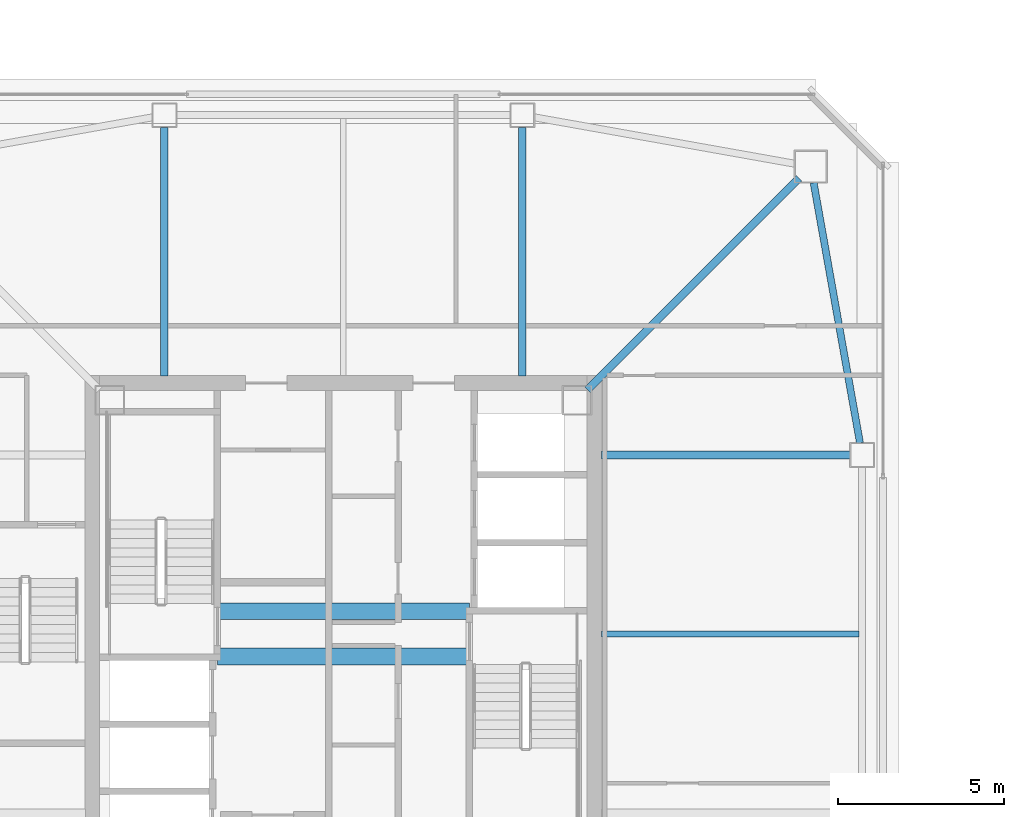
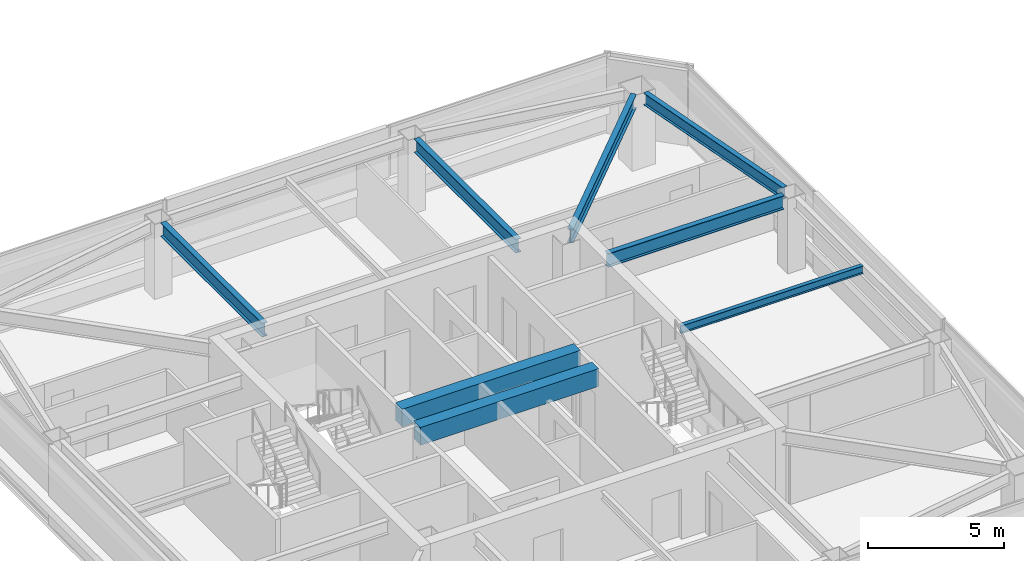
# One storey, part 9 of 39: 8 beams.
"""IFC4 building model written with IfcOpenShell, lengths in metres."""

from ifc_helpers import new_model, si_unit, direction, frame, origin, origin_2d, place, context, subcontext, project, spatial, rectangle, i_section, extrude, material, material_profile, profile_set, type_object, element, save


model = new_model("IFC4")

# Units and contexts
model_context = context("Model", 3, precision=1e-05, world=origin(), true_north=direction((0.0, 1.0)))
body_context = subcontext(model_context, "Body", "Model", "MODEL_VIEW")
ifc_project = project(units=[si_unit("LENGTHUNIT", "METRE"), si_unit("AREAUNIT", "SQUARE_METRE"), si_unit("VOLUMEUNIT", "CUBIC_METRE"), si_unit("PLANEANGLEUNIT", "RADIAN"), si_unit("MASSUNIT", "GRAM", prefix="KILO")], contexts=[model_context])

# Site, building, storey
site_placement = place(None, origin())
site = spatial("IfcSite", under=ifc_project, at=site_placement, CompositionType="ELEMENT")
building_placement = place(site_placement, origin())
building = spatial("IfcBuilding", under=site, at=building_placement, Name="Tashvorn Skyway Center", CompositionType="ELEMENT")
storey_placement = place(building_placement, frame((0.0, 0.0, 207.75)))
storey = spatial("IfcBuildingStorey", under=building, at=storey_placement, Name="L56", CompositionType="ELEMENT", Elevation=207.75)

# Beams
ifc_material_1 = material(Name="Steel ASTM A992 Grade 50", Category="steel")
ifc_material_profile_1 = material_profile(ifc_material_1, i_section(OverallWidth=0.22998046875, OverallDepth=0.616943359375, WebThickness=0.01318359375, FlangeThickness=0.022216796875, at=origin_2d()), Name="W24X94")
ifc_profile_set_1 = profile_set([ifc_material_profile_1], Name="Steel ASTM A992 Grade 50")
beam_type_1 = type_object("IfcBeamType", Name="BM-BEAM-W24X94", PredefinedType="BEAM", material=ifc_profile_set_1)
beam_1_placement = place(storey_placement, frame((55.75, 45.75, 3.0615234375), z_axis=(-0.707106781187, -0.707106781187, 0.0), x_axis=(0.707106781187, -0.707106781187, 0.0)))
element("IfcBeam", 1, at=beam_1_placement, inside=storey, type_object=beam_type_1, Name="Tower 1 L56 Primary Floor Girder MC-NE", PredefinedType="BEAM", context=body_context, shape_type="SweptSolid", body=[
    extrude(i_section(OverallWidth=0.22998046875, OverallDepth=0.616943359375, WebThickness=0.01318359375, FlangeThickness=0.022216796875, at=origin_2d()), origin(), (0.0, 0.0, 1.0), 9.030029296875),
])
for number, where, z_axis, x_axis, name in (
    (2, (57.280029296875, 37.39990234375, 3.0615234375), (-1.0, 0.0, 0.0), (0.0, -1.0, 0.0), "Tower 1 L56 Primary Floor Girder FC-E2"),
    (3, (47.39990234375, 47.280029296875, 3.0615234375), (0.0, -1.0, 0.0), (1.0, 0.0, 0.0), "Tower 1 L56 Primary Floor Girder FC-N1"),
    (4, (36.60009765625, 47.280029296875, 3.0615234375), (0.0, -1.0, 0.0), (1.0, 0.0, 0.0), "Tower 1 L56 Primary Floor Girder FC-N2"),
):
    element("IfcBeam", number, at=place(storey_placement, frame(where, z_axis=z_axis, x_axis=x_axis)), inside=storey, type_object=beam_type_1, Name=name, PredefinedType="BEAM", context=body_context, shape_type="SweptSolid", body=[
        extrude(i_section(OverallWidth=0.22998046875, OverallDepth=0.616943359375, WebThickness=0.01318359375, FlangeThickness=0.022216796875, at=origin_2d()), origin(), (0.0, 0.0, 1.0), 7.5),
    ])
ifc_material_profile_2 = material_profile(ifc_material_1, i_section(OverallWidth=0.1708984375, OverallDepth=0.35498046875, WebThickness=0.007080078125, FlangeThickness=0.01171875, at=origin_2d()), Name="W14X34")
ifc_profile_set_2 = profile_set([ifc_material_profile_2], Name="Steel ASTM A992 Grade 50")
beam_type_2 = type_object("IfcBeamType", Name="BM-JOIST-W14X34", PredefinedType="JOIST", material=ifc_profile_set_2)
beam_2_placement = place(storey_placement, frame((49.7900390625, 32.0, 3.1923828125), z_axis=(1.0, 0.0, 0.0), x_axis=(0.0, 1.0, 0.0)))
element("IfcBeam", 5, at=beam_2_placement, inside=storey, type_object=beam_type_2, Name="Tower 1 L56 Secondary Composite Joist JE", PredefinedType="JOIST", context=body_context, shape_type="SweptSolid", body=[
    extrude(i_section(OverallWidth=0.1708984375, OverallDepth=0.35498046875, WebThickness=0.007080078125, FlangeThickness=0.01171875, at=origin_2d()), origin(), (0.0, 0.0, 1.0), 7.762451171875),
])
ifc_material_2 = material(Name="Concrete C50/60", Category="concrete")
ifc_material_profile_3 = material_profile(ifc_material_2, rectangle(XDim=0.5, YDim=0.800048828125, at=origin_2d()), Name="RCB500x800")
ifc_profile_set_3 = profile_set([ifc_material_profile_3], Name="Concrete C50/60")
beam_type_3 = type_object("IfcBeamType", Name="BM-LINTEL-RCB500x800", PredefinedType="LINTEL", material=ifc_profile_set_3)
for number, where, z_axis, x_axis, name in (
    (6, (38.199951171875, 32.679931640625, 2.969970703125), (1.0, 0.0, 0.0), (0.0, 1.0, 0.0), "Tower 1 L56 Core Coupling Beam CN"),
    (7, (38.199951171875, 31.320068359375, 2.969970703125), (1.0, 0.0, 0.0), (0.0, 1.0, 0.0), "Tower 1 L56 Core Coupling Beam CS"),
):
    element("IfcBeam", number, at=place(storey_placement, frame(where, z_axis=z_axis, x_axis=x_axis)), inside=storey, type_object=beam_type_3, Name=name, PredefinedType="LINTEL", context=body_context, shape_type="SweptSolid", body=[
        extrude(rectangle(XDim=0.5, YDim=0.800048828125, at=origin_2d()), origin(), (0.0, 0.0, 1.0), 7.60009765625),
    ])
ifc_material_profile_4 = material_profile(ifc_material_1, i_section(OverallWidth=0.2109375, OverallDepth=0.5390625, WebThickness=0.01171875, FlangeThickness=0.018798828125, at=origin_2d()), Name="W21X73")
ifc_profile_set_4 = profile_set([ifc_material_profile_4], Name="Steel ASTM A992 Grade 50")
beam_type_4 = type_object("IfcBeamType", Name="BM-SPANDREL-W21X73", PredefinedType="SPANDREL", material=ifc_profile_set_4)
beam_3_placement = place(storey_placement, frame((57.585205078125, 37.76416015625, 3.1005859375), z_axis=(-0.17541329759, 0.984494883191, 0.0), x_axis=(-0.984494883191, -0.17541329759, 0.0)))
element("IfcBeam", 8, at=beam_3_placement, inside=storey, type_object=beam_type_4, Name="Tower 1 L56 Spandrel Beam 06", PredefinedType="SPANDREL", context=body_context, shape_type="SweptSolid", body=[
    extrude(i_section(OverallWidth=0.2109375, OverallDepth=0.5390625, WebThickness=0.01171875, FlangeThickness=0.018798828125, at=origin_2d()), origin(), (0.0, 0.0, 1.0), 7.97216796875),
])

save(model, "model.ifc")
